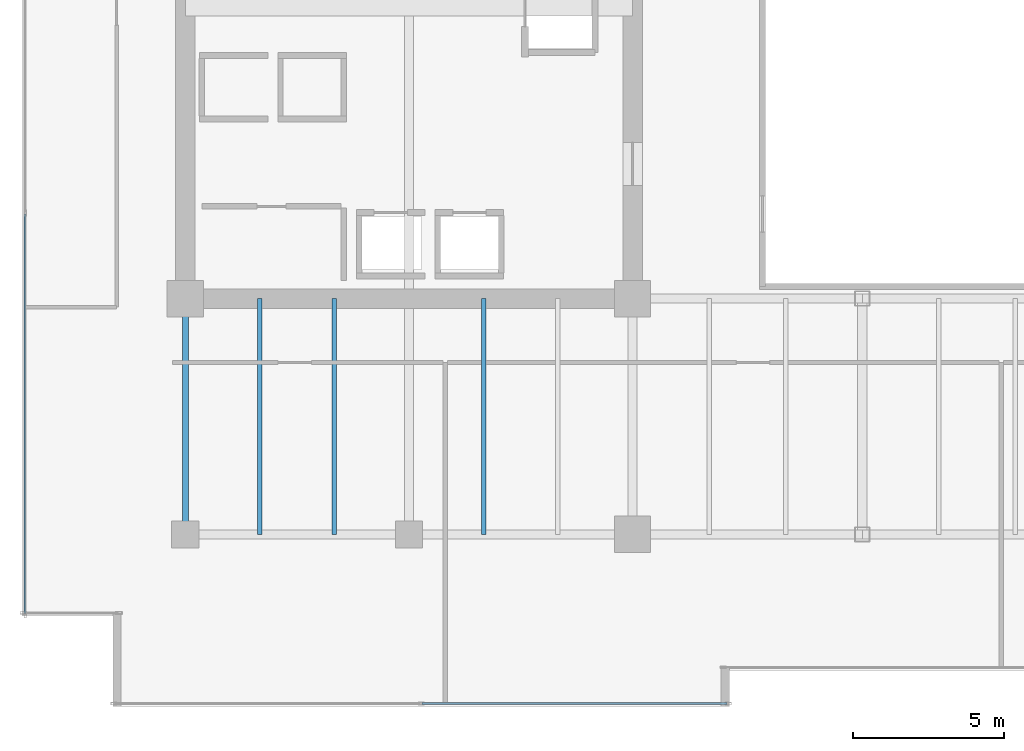
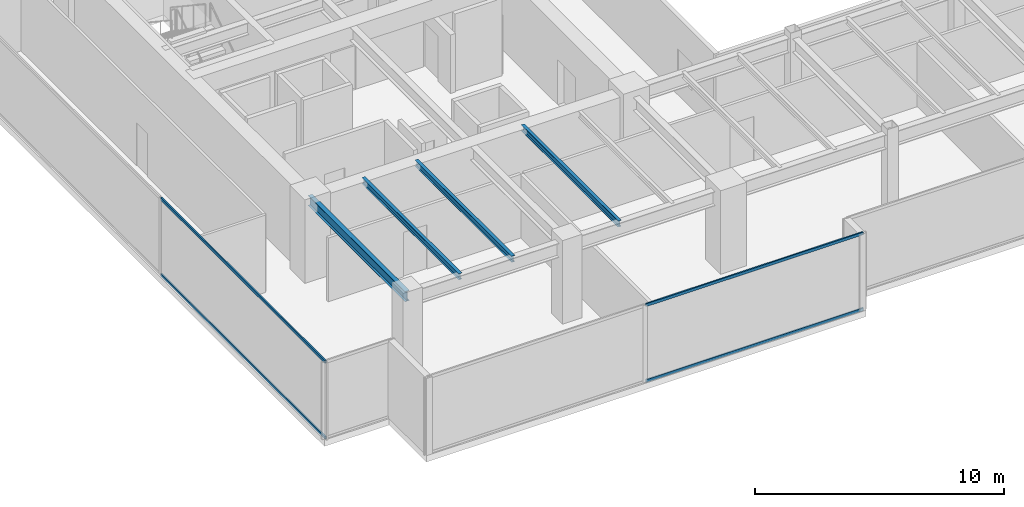
# One storey, part 3 of 30: 4 beams, 4 members, 2 elements without a shape of their own.
"""IFC4 building model written with IfcOpenShell, lengths in metres."""

from ifc_helpers import new_model, si_unit, direction, frame, origin, origin_2d, place, context, subcontext, project, spatial, hollow_rectangle, i_section, extrude, source, transform, mapped, material, layer, layer_set, material_profile, profile_set, type_object, type_shapes, element, aggregate, save


model = new_model("IFC4")

# Units and contexts
model_context = context("Model", 3, precision=1e-05, world=origin(), true_north=direction((0.0, 1.0)))
body_context = subcontext(model_context, "Body", "Model", "MODEL_VIEW")
ifc_project = project(units=[si_unit("LENGTHUNIT", "METRE"), si_unit("AREAUNIT", "SQUARE_METRE"), si_unit("VOLUMEUNIT", "CUBIC_METRE"), si_unit("PLANEANGLEUNIT", "RADIAN"), si_unit("MASSUNIT", "GRAM", prefix="KILO")], contexts=[model_context])

# Site, building, storey
site_placement = place(None, origin())
site = spatial("IfcSite", under=ifc_project, at=site_placement, CompositionType="ELEMENT")
building_placement = place(site_placement, origin())
building = spatial("IfcBuilding", under=site, at=building_placement, Name="Haelvirn Gate Laboratories", CompositionType="ELEMENT")
storey_placement = place(building_placement, frame((0.0, 0.0, 121.5)))
storey = spatial("IfcBuildingStorey", under=building, at=storey_placement, Name="L29", CompositionType="ELEMENT", Elevation=121.5)

# Beams
ifc_material_1 = material(Name="Steel SM355", Category="steel")
ifc_material_profile_1 = material_profile(ifc_material_1, i_section(OverallWidth=0.199951171875, OverallDepth=0.5, WebThickness=0.010009765625, FlangeThickness=0.01611328125, at=origin_2d()), Name="H-500x200x10x16")
ifc_profile_set_1 = profile_set([ifc_material_profile_1], Name="Steel SM355")
beam_type_1 = type_object("IfcBeamType", Name="BM-SP-500", PredefinedType="SPANDREL", material=ifc_profile_set_1)
shared_shape_1 = source(origin(), body_context, "Body", "SweptSolid", [
    extrude(i_section(OverallWidth=0.199951171875, OverallDepth=0.5, WebThickness=0.010009765625, FlangeThickness=0.01611328125, at=origin_2d()), origin(), (0.0, 0.0, 1.0), 7.800048828125),
])
type_shapes(beam_type_1, [shared_shape_1])
beam_placement = place(storey_placement, frame((7.39990234375, 7.0, 3.5400390625), z_axis=(0.0, 1.0, 0.0), x_axis=(-1.0, 0.0, 0.0)))
element("IfcBeam", 1, at=beam_placement, inside=storey, type_object=beam_type_1, Name="L29 Perimeter Spandrel X7.4 (7.0-14.8)", PredefinedType="SPANDREL", context=body_context, shape_type="MappedRepresentation", body=[
    mapped(shared_shape_1, transform((0.0, 0.0, 0.0), scale=1.0)),
])
ifc_material_profile_2 = material_profile(ifc_material_1, i_section(OverallWidth=0.14990234375, OverallDepth=0.300048828125, WebThickness=0.006591796875, FlangeThickness=0.009033203125, at=origin_2d()), Name="H-300x150x6.5x9")
ifc_profile_set_2 = profile_set([ifc_material_profile_2], Name="Steel SM355")
beam_type_2 = type_object("IfcBeamType", Name="BM-J-300", PredefinedType="JOIST", material=ifc_profile_set_2)
shared_shape_2 = source(origin(), body_context, "Body", "SweptSolid", [
    extrude(i_section(OverallWidth=0.14990234375, OverallDepth=0.300048828125, WebThickness=0.006591796875, FlangeThickness=0.009033203125, at=origin_2d()), origin(), (0.0, 0.0, 1.0), 7.800048828125),
])
type_shapes(beam_type_2, [shared_shape_2])
for number, where, z_axis, x_axis, name in (
    (2, (9.8701171875, 7.0, 3.639892578125), (0.0, 1.0, 0.0), (-1.0, 0.0, 0.0), "L29 Composite Lab Joist South X9.87"),
    (3, (12.330078125, 7.0, 3.639892578125), (0.0, 1.0, 0.0), (-1.0, 0.0, 0.0), "L29 Composite Lab Joist South X12.33"),
    (4, (17.27001953125, 7.0, 3.639892578125), (0.0, 1.0, 0.0), (-1.0, 0.0, 0.0), "L29 Composite Lab Joist South X17.27"),
):
    element("IfcBeam", number, at=place(storey_placement, frame(where, z_axis=z_axis, x_axis=x_axis)), inside=storey, type_object=beam_type_2, Name=name, PredefinedType="JOIST", context=body_context, shape_type="MappedRepresentation", body=[
        mapped(shared_shape_2, transform((0.0, 0.0, 0.0), scale=1.0)),
    ])

# Curtain wall, members
ifc_material_2 = material(Name="Anodised bronze unitised aluminium & triple low-E glass", Category="aluminium")
ifc_layer = layer(ifc_material_2, 0.179931640625, Name="CW-SYS-3")
ifc_layer_set = layer_set([ifc_layer], Name="Anodised bronze unitised aluminium & triple low-E glass")
curtain_wall_type = type_object("IfcCurtainWallType", Name="CW-SYS-3", PredefinedType="NOTDEFINED", material=ifc_layer_set)
curtain_wall_1_placement = place(storey_placement, origin())
curtain_wall_1 = element("IfcCurtainWall", 5, at=curtain_wall_1_placement, inside=storey, type_object=curtain_wall_type, Name="L29 Unitised Curtain Wall CW-L29-P0-E00-1", PredefinedType="NOTDEFINED")
ifc_material_3 = material(Name="Extruded aluminium 6063-T6 (anodised bronze)", Category="aluminium")
ifc_material_profile_3 = material_profile(ifc_material_3, hollow_rectangle(XDim=0.06494140625, YDim=0.139892578125, WallThickness=0.00390625, at=origin_2d()), Name="CWT-140x65x4")
ifc_profile_set_3 = profile_set([ifc_material_profile_3], Name="Extruded aluminium 6063-T6 (anodised bronze)")
member_type = type_object("IfcMemberType", Name="CWT-T140", PredefinedType="USERDEFINED", material=ifc_profile_set_3)
shared_shape_3 = source(origin(), body_context, "Body", "SweptSolid", [
    extrude(hollow_rectangle(XDim=0.06494140625, YDim=0.139892578125, WallThickness=0.00390625, at=origin_2d()), origin(), (0.0, 0.0, 1.0), 10.08740234375),
])
member_1_placement = place(storey_placement, frame((15.237548828125, 1.39990234375, 0.032470703125), z_axis=(1.0, 0.0, 0.0), x_axis=(0.0, 1.0, 0.0)))
member_1 = element("IfcMember", 6, at=member_1_placement, type_object=member_type, Name="CW3 transom 2.1", ObjectType="TRANSOM", PredefinedType="USERDEFINED", context=body_context, shape_type="MappedRepresentation", body=[
    mapped(shared_shape_3, transform((0.0, 0.0, 0.0), scale=1.0)),
])
member_2_placement = place(storey_placement, frame((15.237548828125, 1.39990234375, 3.757568359375), z_axis=(1.0, 0.0, 0.0), x_axis=(0.0, 1.0, 0.0)))
member_2 = element("IfcMember", 7, at=member_2_placement, type_object=member_type, Name="CW3 transom 2.2", ObjectType="TRANSOM", PredefinedType="USERDEFINED", context=body_context, shape_type="MappedRepresentation", body=[
    mapped(shared_shape_3, transform((0.0, 0.0, 0.0), scale=1.0)),
])
aggregate(curtain_wall_1, [member_1, member_2])

curtain_wall_2_placement = place(storey_placement, origin())
curtain_wall_2 = element("IfcCurtainWall", 8, at=curtain_wall_2_placement, inside=storey, type_object=curtain_wall_type, Name="L29 Unitised Curtain Wall CW-L29-P0-E17", PredefinedType="NOTDEFINED")
shared_shape_4 = source(origin(), body_context, "Body", "SweptSolid", [
    extrude(hollow_rectangle(XDim=0.06494140625, YDim=0.139892578125, WallThickness=0.00390625, at=origin_2d()), origin(), (0.0, 0.0, 1.0), 13.220947265625),
])
type_shapes(member_type, [shared_shape_3, shared_shape_4])
member_3_placement = place(storey_placement, frame((2.10009765625, 17.595947265625, 0.032470703125), z_axis=(0.0, -1.0, 0.0), x_axis=(1.0, 0.0, 0.0)))
member_3 = element("IfcMember", 9, at=member_3_placement, type_object=member_type, Name="CW3 transom 3.1", ObjectType="TRANSOM", PredefinedType="USERDEFINED", context=body_context, shape_type="MappedRepresentation", body=[
    mapped(shared_shape_4, transform((0.0, 0.0, 0.0), scale=1.0)),
])
member_4_placement = place(storey_placement, frame((2.10009765625, 17.595947265625, 3.757568359375), z_axis=(0.0, -1.0, 0.0), x_axis=(1.0, 0.0, 0.0)))
member_4 = element("IfcMember", 10, at=member_4_placement, type_object=member_type, Name="CW3 transom 3.2", ObjectType="TRANSOM", PredefinedType="USERDEFINED", context=body_context, shape_type="MappedRepresentation", body=[
    mapped(shared_shape_4, transform((0.0, 0.0, 0.0), scale=1.0)),
])
aggregate(curtain_wall_2, [member_3, member_4])

save(model, "model.ifc")
